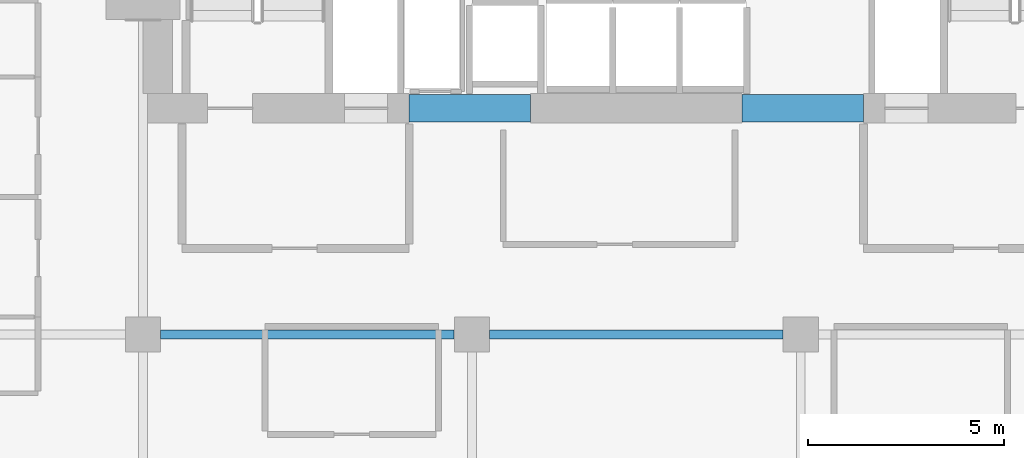
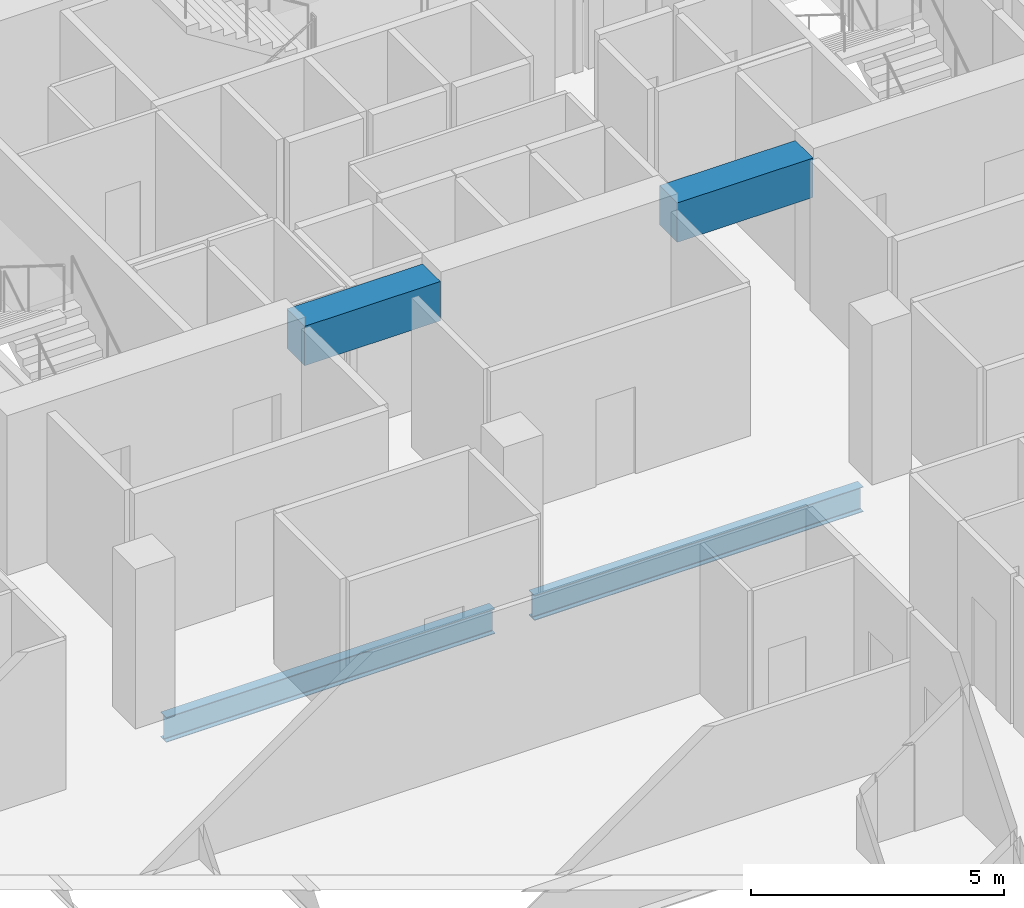
# One storey, part 21 of 34: 4 beams.
"""IFC4 building model written with IfcOpenShell, lengths in metres."""

from ifc_helpers import new_model, si_unit, direction, frame, origin, origin_2d, place, context, subcontext, project, spatial, rectangle, i_section, extrude, material, material_profile, profile_set, type_object, element, save


model = new_model("IFC4")

# Units and contexts
model_context = context("Model", 3, precision=1e-05, world=origin(), true_north=direction((0.0, 1.0)))
body_context = subcontext(model_context, "Body", "Model", "MODEL_VIEW")
ifc_project = project(units=[si_unit("LENGTHUNIT", "METRE"), si_unit("AREAUNIT", "SQUARE_METRE"), si_unit("VOLUMEUNIT", "CUBIC_METRE"), si_unit("PLANEANGLEUNIT", "RADIAN"), si_unit("MASSUNIT", "GRAM", prefix="KILO")], contexts=[model_context])

# Site, building, storey
site_placement = place(None, origin())
site = spatial("IfcSite", under=ifc_project, at=site_placement, CompositionType="ELEMENT")
building_placement = place(site_placement, origin())
building = spatial("IfcBuilding", under=site, at=building_placement, Name="Maruvema Waterfront Hotel and Observation Tower", CompositionType="ELEMENT")
storey_placement = place(building_placement, frame((0.0, 0.0, 173.60009765625)))
storey = spatial("IfcBuildingStorey", under=building, at=storey_placement, Name="L42", CompositionType="ELEMENT", Elevation=173.60009765625)

# Beams
ifc_material_1 = material(Name="Concrete C60/75", Category="concrete")
ifc_material_profile_1 = material_profile(ifc_material_1, rectangle(XDim=0.699951171875, YDim=0.949951171875, at=origin_2d()), Name="CB700x950")
ifc_profile_set_1 = profile_set([ifc_material_profile_1], Name="Concrete C60/75")
beam_type_1 = type_object("IfcBeamType", Name="Core Coupling Lintel Beam CB700x950", PredefinedType="LINTEL", material=ifc_profile_set_1)
for number, where, z_axis, x_axis, name in (
    (1, (32.0, 41.77490234375, 3.135009765625), (1.0, 0.0, 0.0), (0.0, 1.0, 0.0), "L42 Core Coupling Lintel Beam West"),
    (2, (40.5, 41.77490234375, 3.135009765625), (1.0, 0.0, 0.0), (0.0, 1.0, 0.0), "L42 Core Coupling Lintel Beam East"),
):
    element("IfcBeam", number, at=place(storey_placement, frame(where, z_axis=z_axis, x_axis=x_axis)), inside=storey, type_object=beam_type_1, Name=name, PredefinedType="LINTEL", context=body_context, shape_type="SweptSolid", body=[
        extrude(rectangle(XDim=0.699951171875, YDim=0.949951171875, at=origin_2d()), origin(), (0.0, 0.0, 1.0), 3.10009765625),
    ])
ifc_material_2 = material(Name="Steel ASTM A572 Grade 50", Category="steel")
ifc_material_profile_2 = material_profile(ifc_material_2, i_section(OverallWidth=0.22802734375, OverallDepth=0.60302734375, WebThickness=0.010498046875, FlangeThickness=0.014892578125, FilletRadius=0.01806640625, at=origin_2d()), Name="W610x101.0")
ifc_profile_set_2 = profile_set([ifc_material_profile_2], Name="Steel ASTM A572 Grade 50")
beam_type_2 = type_object("IfcBeamType", Name="Primary Floor Girder W610x101.0", PredefinedType="BEAM", material=ifc_profile_set_2)
for number, where, z_axis, x_axis, name in (
    (3, (25.64990234375, 36.0, -0.54150390625), (1.0, 0.0, 0.0), (0.0, 1.0, 0.0), "L42 Floor Girder EW-25"),
    (4, (34.050048828125, 36.0, -0.54150390625), (1.0, 0.0, 0.0), (0.0, 1.0, 0.0), "L42 Floor Girder EW-26"),
):
    element("IfcBeam", number, at=place(storey_placement, frame(where, z_axis=z_axis, x_axis=x_axis)), inside=storey, type_object=beam_type_2, Name=name, PredefinedType="BEAM", context=body_context, shape_type="SweptSolid", body=[
        extrude(i_section(OverallWidth=0.22802734375, OverallDepth=0.60302734375, WebThickness=0.010498046875, FlangeThickness=0.014892578125, FilletRadius=0.01806640625, at=origin_2d()), origin(), (0.0, 0.0, 1.0), 7.5),
    ])

save(model, "model.ifc")
